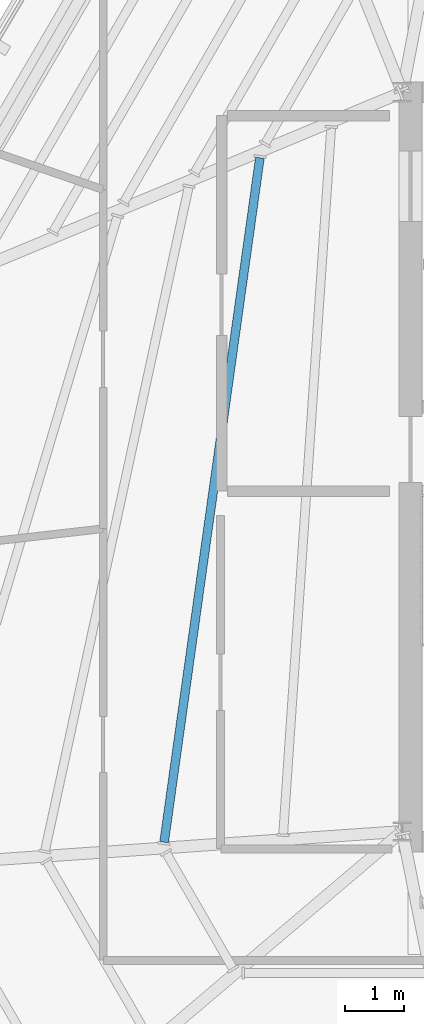
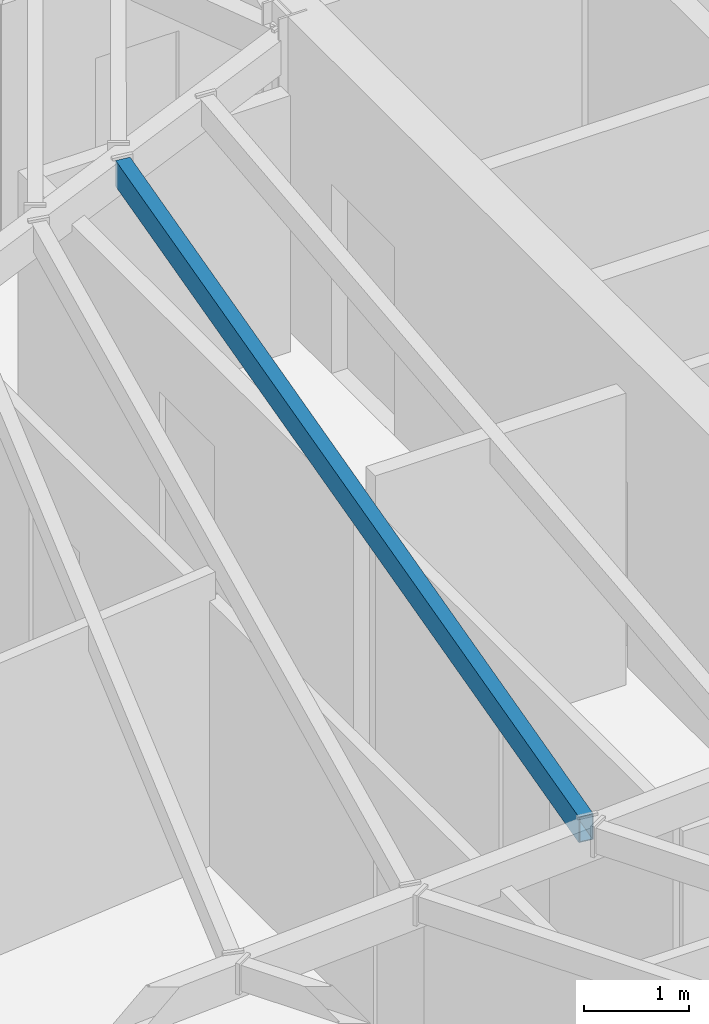
# One storey, part 16 of 49: 1 beam.
"""IFC4 building model written with IfcOpenShell, lengths in metres."""

from ifc_helpers import new_model, si_unit, direction, frame, origin, origin_2d, place, context, subcontext, project, spatial, hollow_rectangle, extrude, source, transform, mapped, material, material_profile, profile_set, type_object, type_shapes, element, save


model = new_model("IFC4")

# Units and contexts
model_context = context("Model", 3, precision=1e-05, world=origin(), true_north=direction((0.0, 1.0)))
body_context = subcontext(model_context, "Body", "Model", "MODEL_VIEW")
ifc_project = project(units=[si_unit("LENGTHUNIT", "METRE"), si_unit("AREAUNIT", "SQUARE_METRE"), si_unit("VOLUMEUNIT", "CUBIC_METRE"), si_unit("PLANEANGLEUNIT", "RADIAN"), si_unit("MASSUNIT", "GRAM", prefix="KILO")], contexts=[model_context])

# Site, building, storey
site_placement = place(None, origin())
site = spatial("IfcSite", under=ifc_project, at=site_placement, CompositionType="ELEMENT")
building_placement = place(site_placement, origin())
building = spatial("IfcBuilding", under=site, at=building_placement, Name="Caelisora Broadcast Tower", CompositionType="ELEMENT")
storey_placement = place(building_placement, frame((0.0, 0.0, 233.5)))
storey = spatial("IfcBuildingStorey", under=building, at=storey_placement, Name="L61", CompositionType="ELEMENT", Elevation=233.5)

# Beam
ifc_material = material(Name="Steel Grade 350 (AS/NZS 1163 C350L0)", Category="steel")
ifc_material_profile = material_profile(ifc_material, hollow_rectangle(XDim=0.14990234375, YDim=0.300048828125, WallThickness=0.010009765625, at=origin_2d()), Name="Steel Grade 350 (AS/NZS 1163 C350L0)")
ifc_profile_set = profile_set([ifc_material_profile], Name="Steel Grade 350 (AS/NZS 1163 C350L0)")
beam_type = type_object("IfcBeamType", Name="SB05", PredefinedType="JOIST", material=ifc_profile_set)
shared_shape = source(origin(), body_context, "Body", "SweptSolid", [
    extrude(hollow_rectangle(XDim=0.14990234375, YDim=0.300048828125, WallThickness=0.010009765625, at=origin_2d()), origin(), (0.0, 0.0, 1.0), 11.78271484375),
])
type_shapes(beam_type, [shared_shape])
beam_placement = place(storey_placement, frame((28.072265625, 28.884033203125, 3.25), z_axis=(-0.138598258646, -0.990348687433, 0.0), x_axis=(0.990348687433, -0.138598258646, 0.0)))
element("IfcBeam", 1, at=beam_placement, inside=storey, type_object=beam_type, Name="L61 beam SB05", PredefinedType="JOIST", context=body_context, shape_type="MappedRepresentation", body=[
    mapped(shared_shape, transform((0.0, 0.0, 0.0), scale=1.0)),
])

save(model, "model.ifc")
